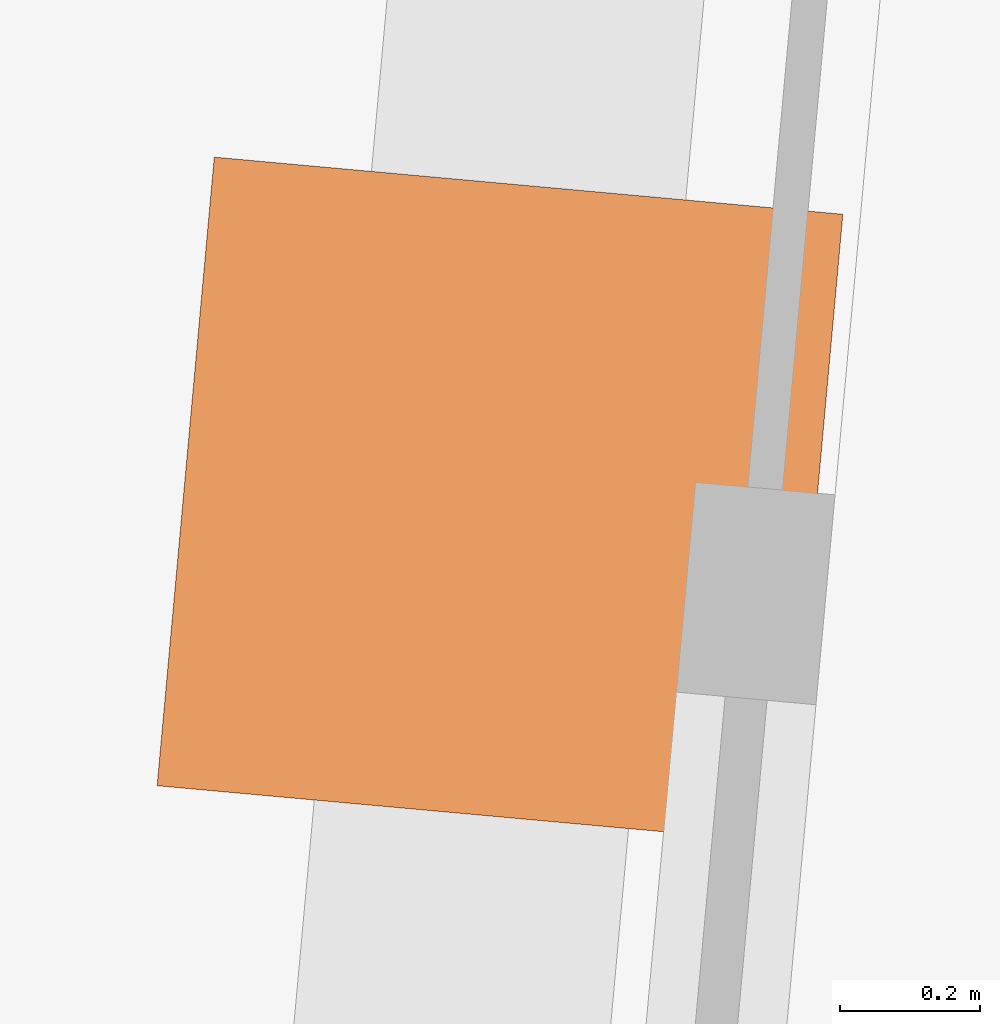
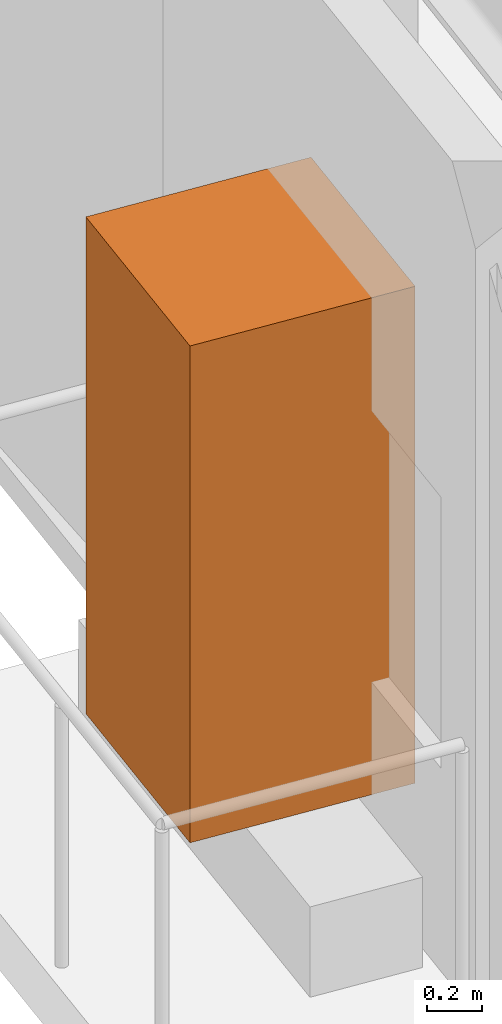
# One storey, part 9 of 9: 1 geographic element.
"""IFC4 building model written with IfcOpenShell, lengths in metres."""

from ifc_helpers import new_model, si_unit, direction, frame, origin, origin_2d, place, context, subcontext, project, spatial, rectangle, extrude, material, type_object, element, save


model = new_model("IFC4")

# Units and contexts
model_context = context("Model", 3, precision=1e-05, world=origin(), true_north=direction((0.0, 1.0)))
body_context = subcontext(model_context, "Body", "Model", "MODEL_VIEW")
ifc_project = project(units=[si_unit("LENGTHUNIT", "METRE"), si_unit("AREAUNIT", "SQUARE_METRE"), si_unit("VOLUMEUNIT", "CUBIC_METRE"), si_unit("PLANEANGLEUNIT", "RADIAN"), si_unit("MASSUNIT", "GRAM", prefix="KILO")], contexts=[model_context])

# Site, building, storey
site_placement = place(None, origin())
site = spatial("IfcSite", under=ifc_project, at=site_placement, CompositionType="ELEMENT")
building_placement = place(site_placement, origin())
building = spatial("IfcBuilding", under=site, at=building_placement, Name="Verdant Reach Tower", CompositionType="ELEMENT")
storey_placement = place(building_placement, frame((0.0, 0.0, 34.0)))
storey = spatial("IfcBuildingStorey", under=building, at=storey_placement, Name="L07", CompositionType="ELEMENT", Elevation=34.0)

# Geographic element
ifc_material = material(Name="Planting")
geographic_element_type = type_object("IfcGeographicElementType", Name="EN-TREE", PredefinedType="USERDEFINED", material=ifc_material)
geographic_element_placement = place(storey_placement, frame((-24.09814453125, 10.16796875, 0.39990234375), z_axis=(0.0, 0.0, 1.0), x_axis=(-0.090535746047, -0.995893206467, 0.0)))
element("IfcGeographicElement", 1, at=geographic_element_placement, inside=storey, type_object=geographic_element_type, Name="Balcony tree, Surinam cherry (Eugenia uniflora), L07 1", ObjectType="TREE", PredefinedType="USERDEFINED", context=body_context, shape_type="SweptSolid", body=[
    extrude(rectangle(XDim=0.89990234375, YDim=0.89990234375, at=origin_2d()), origin(), (0.0, 0.0, 1.0), 2.199951171875),
])

save(model, "model.ifc")
